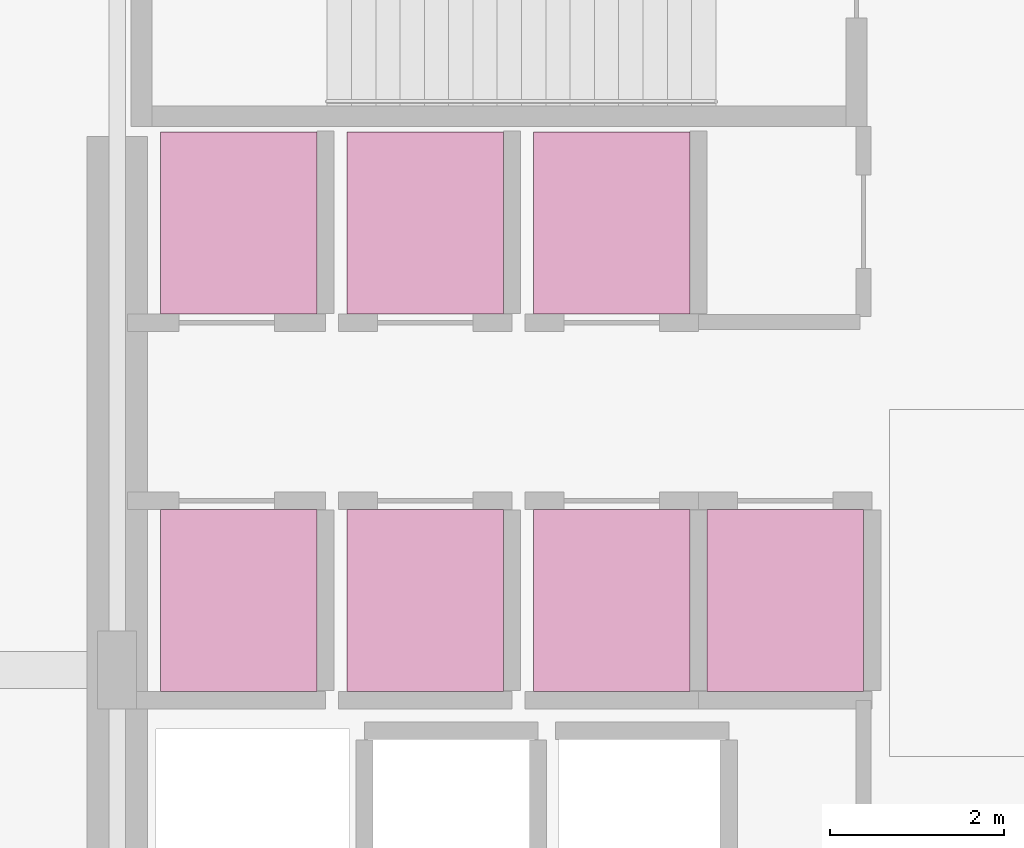
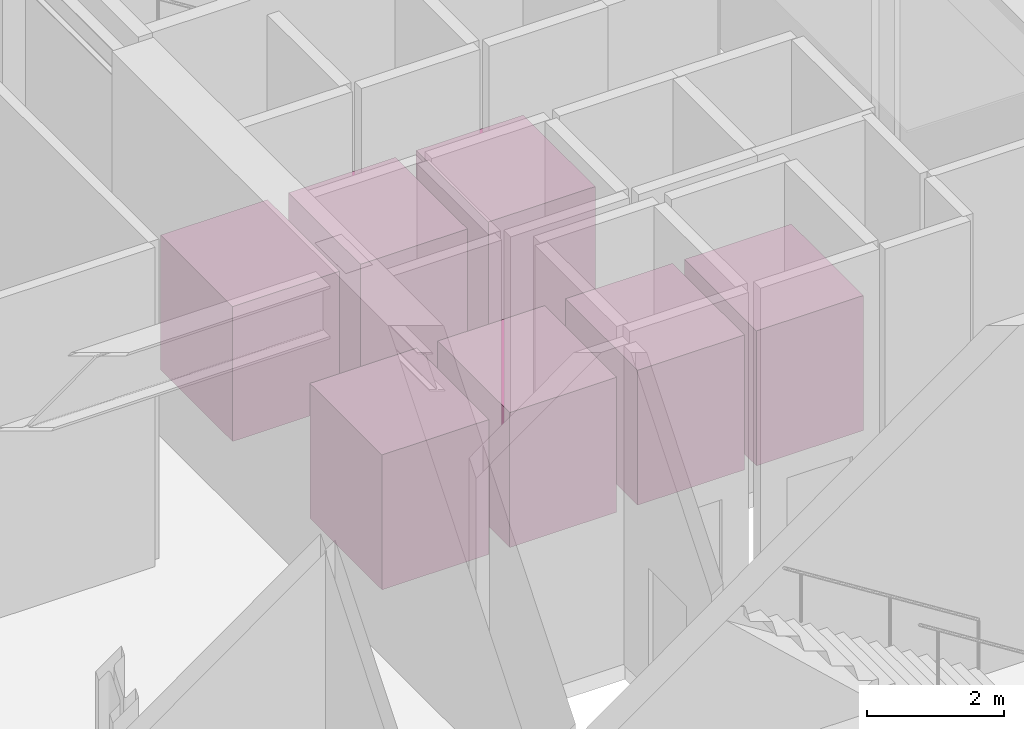
# One storey, part 31 of 31: 7 transport elements.
"""IFC4 building model written with IfcOpenShell, lengths in metres."""

from ifc_helpers import new_model, si_unit, direction, frame, origin, origin_2d, place, context, subcontext, project, spatial, rectangle, extrude, material, type_object, element, save


model = new_model("IFC4")

# Units and contexts
model_context = context("Model", 3, precision=1e-05, world=origin(), true_north=direction((0.0, 1.0)))
body_context = subcontext(model_context, "Body", "Model", "MODEL_VIEW")
ifc_project = project(units=[si_unit("LENGTHUNIT", "METRE"), si_unit("AREAUNIT", "SQUARE_METRE"), si_unit("VOLUMEUNIT", "CUBIC_METRE"), si_unit("PLANEANGLEUNIT", "RADIAN"), si_unit("MASSUNIT", "GRAM", prefix="KILO")], contexts=[model_context])

# Site, building, storey
site_placement = place(None, origin())
site = spatial("IfcSite", under=ifc_project, at=site_placement, CompositionType="ELEMENT")
building_placement = place(site_placement, origin())
building = spatial("IfcBuilding", under=site, at=building_placement, Name="Soratama Intermodal Tower", CompositionType="ELEMENT")
storey_placement = place(building_placement, origin())
storey = spatial("IfcBuildingStorey", under=building, at=storey_placement, Name="L00", CompositionType="ELEMENT", Elevation=0.0)

# Transport elements
ifc_material = material(Name="Brushed bronze passenger lift car", Category="steel")
transport_element_type = type_object("IfcTransportElementType", Name="LF-PASS-1800X2100", PredefinedType="ELEVATOR", material=ifc_material)
for number, where, z_axis, x_axis, name in (
    (1, (34.0, 25.800048828125, 0.0), (0.0, 0.0, 1.0), (1.0, 0.0, 0.0), "Passenger Lift PL-L1"),
    (2, (36.14990234375, 25.800048828125, 0.0), (0.0, 0.0, 1.0), (1.0, 0.0, 0.0), "Passenger Lift PL-L2"),
    (3, (38.300048828125, 25.800048828125, 0.0), (0.0, 0.0, 1.0), (1.0, 0.0, 0.0), "Passenger Lift PL-L3"),
    (4, (40.300048828125, 25.800048828125, 0.0), (0.0, 0.0, 1.0), (1.0, 0.0, 0.0), "Passenger Lift PL-M1"),
    (5, (34.0, 30.14990234375, 0.0), (0.0, 0.0, 1.0), (1.0, 0.0, 0.0), "Passenger Lift PL-M2"),
    (6, (36.14990234375, 30.14990234375, 0.0), (0.0, 0.0, 1.0), (1.0, 0.0, 0.0), "Passenger Lift PL-H1"),
    (7, (38.300048828125, 30.14990234375, 0.0), (0.0, 0.0, 1.0), (1.0, 0.0, 0.0), "Passenger Lift PL-H2"),
):
    element("IfcTransportElement", number, at=place(storey_placement, frame(where, z_axis=z_axis, x_axis=x_axis)), inside=storey, type_object=transport_element_type, Name=name, PredefinedType="ELEVATOR", context=body_context, shape_type="SweptSolid", body=[
        extrude(rectangle(XDim=1.800048828125, YDim=2.10009765625, at=origin_2d()), origin(), (0.0, 0.0, 1.0), 2.39990234375),
    ])

save(model, "model.ifc")
